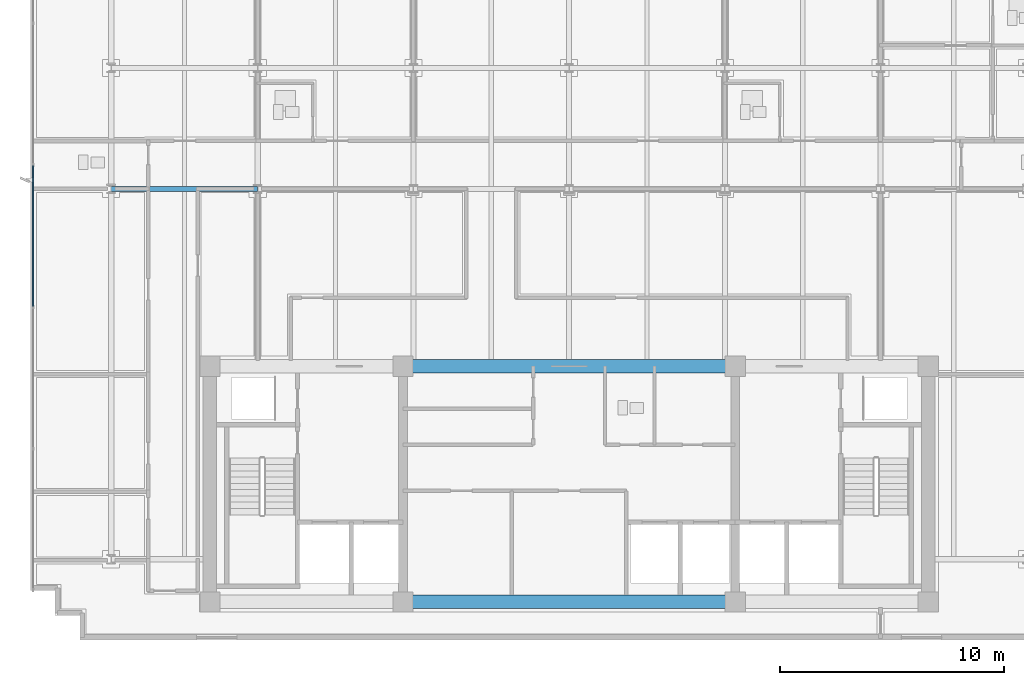
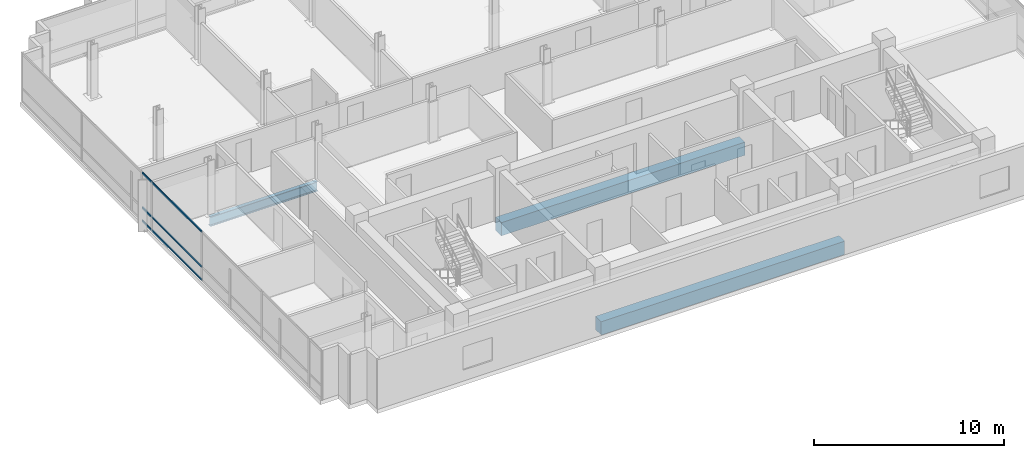
# One storey, part 3 of 19: 3 beams, 3 members, 1 element without a shape of its own.
"""IFC4 building model written with IfcOpenShell, lengths in metres."""

from ifc_helpers import new_model, si_unit, direction, frame, origin, origin_2d, place, context, subcontext, project, spatial, rectangle, i_section, extrude, material, material_profile, profile_set, type_object, element, aggregate, save


model = new_model("IFC4")

# Units and contexts
model_context = context("Model", 3, precision=1e-05, world=origin(), true_north=direction((0.0, 1.0)))
body_context = subcontext(model_context, "Body", "Model", "MODEL_VIEW")
ifc_project = project(units=[si_unit("LENGTHUNIT", "METRE"), si_unit("AREAUNIT", "SQUARE_METRE"), si_unit("VOLUMEUNIT", "CUBIC_METRE"), si_unit("PLANEANGLEUNIT", "RADIAN"), si_unit("MASSUNIT", "GRAM", prefix="KILO")], contexts=[model_context])

# Site, building, storey
site_placement = place(None, origin())
site = spatial("IfcSite", under=ifc_project, at=site_placement, CompositionType="ELEMENT")
building_placement = place(site_placement, origin())
building = spatial("IfcBuilding", under=site, at=building_placement, Name="Solmavex Isthmus Hotel", CompositionType="ELEMENT")
storey_placement = place(building_placement, frame((0.0, 0.0, 262.64990234375)))
storey = spatial("IfcBuildingStorey", under=building, at=storey_placement, Name="L71", CompositionType="ELEMENT", Elevation=262.64990234375)

# Beams
ifc_material_1 = material(Name="Steel ASTM A992 Grade 50", Category="steel")
ifc_material_profile_1 = material_profile(ifc_material_1, i_section(OverallWidth=0.227783203125, OverallDepth=0.602783203125, WebThickness=0.010498046875, FlangeThickness=0.014892578125, FilletRadius=0.01513671875, at=origin_2d()), Name="W24X68")
ifc_profile_set_1 = profile_set([ifc_material_profile_1], Name="Steel ASTM A992 Grade 50")
beam_type_1 = type_object("IfcBeamType", Name="BM-BM-W24X68", PredefinedType="BEAM", material=ifc_profile_set_1)
beam_placement = place(storey_placement, frame((-20.39990234375, 5.39990234375, -0.561279296875), z_axis=(1.0, 0.0, 0.0), x_axis=(0.0, 1.0, 0.0)))
element("IfcBeam", 1, at=beam_placement, inside=storey, type_object=beam_type_1, Name="Floor Girder L71-UG03", PredefinedType="BEAM", context=body_context, shape_type="SweptSolid", body=[
    extrude(i_section(OverallWidth=0.227783203125, OverallDepth=0.602783203125, WebThickness=0.010498046875, FlangeThickness=0.014892578125, FilletRadius=0.01513671875, at=origin_2d()), origin(), (0.0, 0.0, 1.0), 6.52783203125),
])
ifc_material_2 = material(Name="Concrete C50/60", Category="concrete")
ifc_material_profile_2 = material_profile(ifc_material_2, rectangle(XDim=0.60009765625, YDim=0.85009765625, at=origin_2d()), Name="RC600X850")
ifc_profile_set_2 = profile_set([ifc_material_profile_2], Name="Concrete C50/60")
beam_type_2 = type_object("IfcBeamType", Name="BM-CB-600X850", PredefinedType="BEAM", material=ifc_profile_set_2)
for number, where, z_axis, x_axis, name in (
    (2, (-7.39990234375, -13.0, -0.684814453125), (1.0, 0.0, 0.0), (0.0, 1.0, 0.0), "Core Coupling Beam L71-CB2"),
    (3, (-7.39990234375, -2.5, -0.684814453125), (1.0, 0.0, 0.0), (0.0, 1.0, 0.0), "Core Coupling Beam L71-CB5"),
):
    element("IfcBeam", number, at=place(storey_placement, frame(where, z_axis=z_axis, x_axis=x_axis)), inside=storey, type_object=beam_type_2, Name=name, PredefinedType="BEAM", context=body_context, shape_type="SweptSolid", body=[
        extrude(rectangle(XDim=0.60009765625, YDim=0.85009765625, at=origin_2d()), origin(), (0.0, 0.0, 1.0), 14.7998046875),
    ])

# Curtain wall, members
ifc_material_3 = material(Name="Aluminium alloy 6063-T6", Category="aluminium")
curtain_wall_type = type_object("IfcCurtainWallType", Name="CW-SYS-06", PredefinedType="NOTDEFINED", material=ifc_material_3)
curtain_wall_placement = place(storey_placement, origin())
curtain_wall = element("IfcCurtainWall", 4, at=curtain_wall_placement, inside=storey, type_object=curtain_wall_type, Name="Stick Curtain Wall CWL-L71-W1", PredefinedType="NOTDEFINED")
ifc_material_profile_3 = material_profile(ifc_material_3, rectangle(XDim=0.06005859375, YDim=0.114990234375, at=origin_2d()), Name="CWT-60X115")
ifc_profile_set_3 = profile_set([ifc_material_profile_3], Name="Aluminium alloy 6063-T6")
member_type = type_object("IfcMemberType", Name="CW-SYS-06-TRN", PredefinedType="USERDEFINED", material=ifc_profile_set_3)
member_1_placement = place(storey_placement, frame((-23.8798828125, 0.169921875, 0.0576171875), z_axis=(0.0, 1.0, 0.0), x_axis=(-1.0, 0.0, 0.0)))
member_1 = element("IfcMember", 5, at=member_1_placement, type_object=member_type, Name="CW-06 transom 3.1", ObjectType="TRANSOM", PredefinedType="USERDEFINED", context=body_context, shape_type="SweptSolid", body=[
    extrude(rectangle(XDim=0.06005859375, YDim=0.114990234375, at=origin_2d()), origin(), (0.0, 0.0, 1.0), 6.260009765625),
])
member_2_placement = place(storey_placement, frame((-23.8798828125, 0.169921875, 0.900146484375), z_axis=(0.0, 1.0, 0.0), x_axis=(-1.0, 0.0, 0.0)))
member_2 = element("IfcMember", 6, at=member_2_placement, type_object=member_type, Name="CW-06 transom 3.2", ObjectType="TRANSOM", PredefinedType="USERDEFINED", context=body_context, shape_type="SweptSolid", body=[
    extrude(rectangle(XDim=0.06005859375, YDim=0.114990234375, at=origin_2d()), origin(), (0.0, 0.0, 1.0), 6.260009765625),
])
member_3_placement = place(storey_placement, frame((-23.8798828125, 0.169921875, 3.132568359375), z_axis=(0.0, 1.0, 0.0), x_axis=(-1.0, 0.0, 0.0)))
member_3 = element("IfcMember", 7, at=member_3_placement, type_object=member_type, Name="CW-06 transom 3.3", ObjectType="TRANSOM", PredefinedType="USERDEFINED", context=body_context, shape_type="SweptSolid", body=[
    extrude(rectangle(XDim=0.06005859375, YDim=0.114990234375, at=origin_2d()), origin(), (0.0, 0.0, 1.0), 6.260009765625),
])
aggregate(curtain_wall, [member_1, member_2, member_3])

save(model, "model.ifc")
